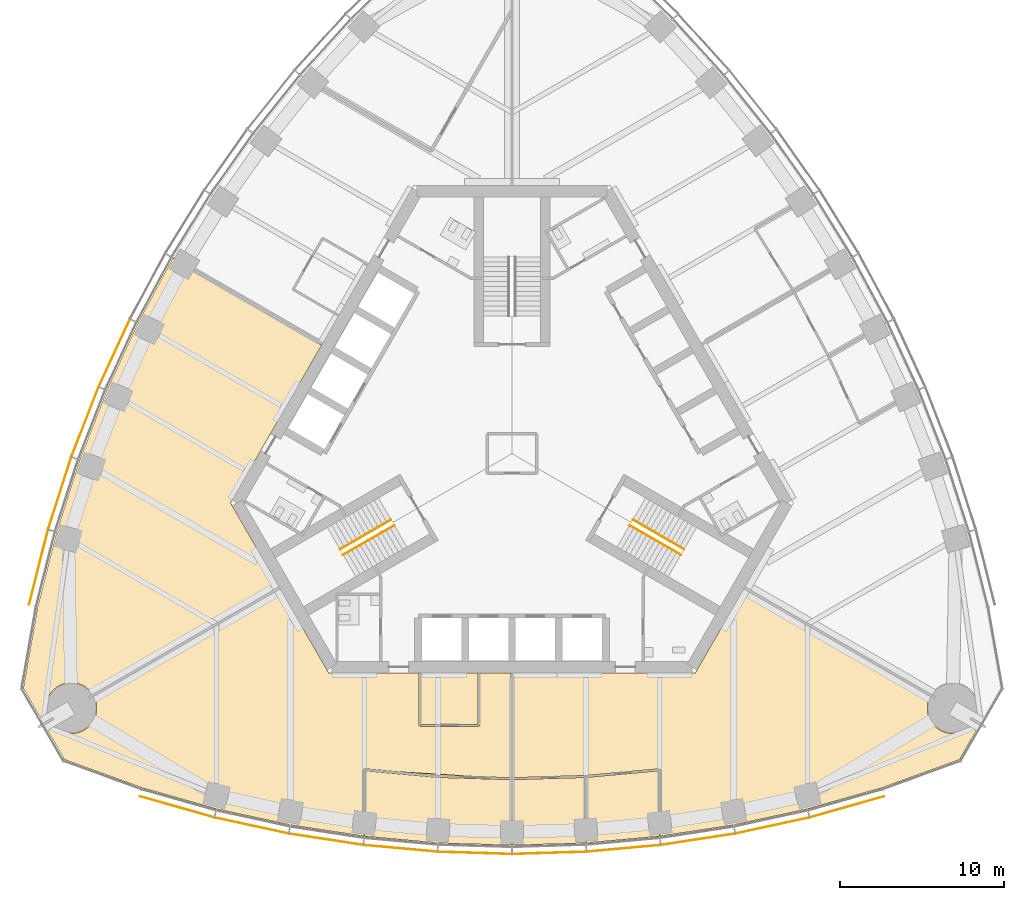
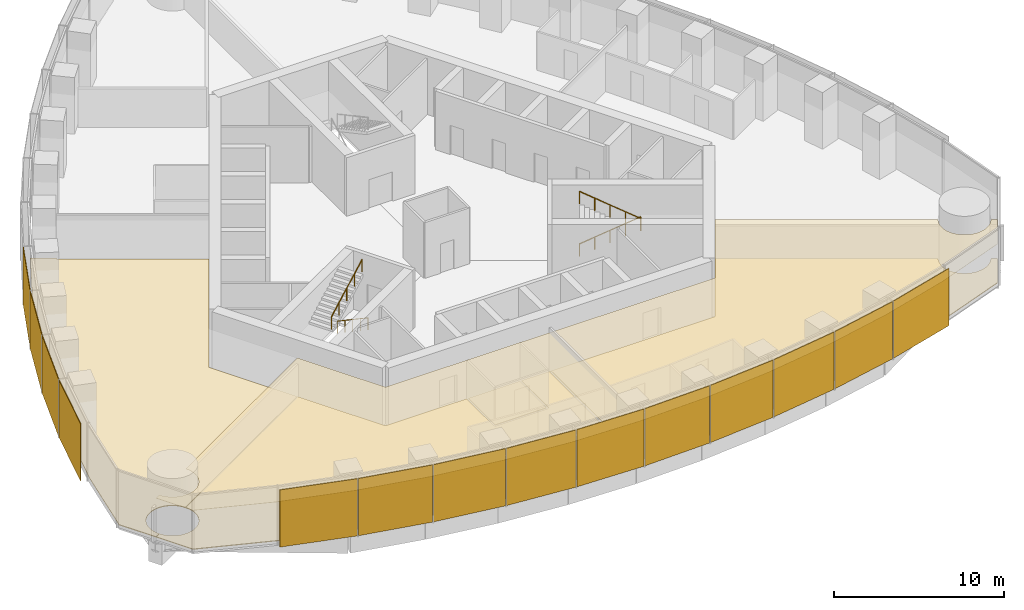
# One storey, part 11 of 15: 14 shading devices, 8 coverings, 4 railings.
"""IFC4 building model written with IfcOpenShell, lengths in metres."""

from ifc_helpers import new_model, si_unit, direction, frame, origin, origin_2d, place, context, subcontext, project, spatial, polyline, rectangle, circle, outline, extrude, material, layer, layer_set, type_object, element, save


model = new_model("IFC4")

# Units and contexts
model_context = context("Model", 3, precision=1e-05, world=origin(), true_north=direction((0.0, 1.0)))
body_context = subcontext(model_context, "Body", "Model", "MODEL_VIEW")
ifc_project = project(units=[si_unit("LENGTHUNIT", "METRE"), si_unit("AREAUNIT", "SQUARE_METRE"), si_unit("VOLUMEUNIT", "CUBIC_METRE"), si_unit("PLANEANGLEUNIT", "RADIAN"), si_unit("MASSUNIT", "GRAM", prefix="KILO")], contexts=[model_context])

# Site, building, storey
site_placement = place(None, origin())
site = spatial("IfcSite", under=ifc_project, at=site_placement, CompositionType="ELEMENT")
building_placement = place(site_placement, origin())
building = spatial("IfcBuilding", under=site, at=building_placement, Name="Trefoil Bronze Tower", CompositionType="ELEMENT")
storey_placement = place(building_placement, frame((0.0, 0.0, 288.89990234375)))
storey = spatial("IfcBuildingStorey", under=building, at=storey_placement, Name="L66", CompositionType="ELEMENT", Elevation=288.89990234375)

# Shading devices
ifc_material_1 = material(Name="Perforated bronze sheet", Category="bronze")
ifc_layer_1 = layer(ifc_material_1, 0.0400390625)
ifc_layer_set_1 = layer_set([ifc_layer_1], Name="Bronze solar screen panel")
shading_device_type = type_object("IfcShadingDeviceType", Name="Bronze solar screen panel", PredefinedType="SHUTTER", material=ifc_layer_set_1)
shading_device_1_placement = place(storey_placement, frame((-20.42138671875, -21.515625, 0.050048828125), z_axis=(0.0, 0.0, 1.0), x_axis=(0.962097746943, -0.272704831875, 0.0)))
element("IfcShadingDevice", 1, at=shading_device_1_placement, inside=storey, type_object=shading_device_type, Name="Solar screen CW-A L66 F1 bay 1", PredefinedType="SHUTTER", context=body_context, shape_type="SweptSolid", body=[
    extrude(rectangle(XDim=4.697509765625, YDim=0.0400390625, at=origin_2d()), origin(), (0.0, 0.0, 1.0), 4.10009765625),
])
shading_device_2_placement = place(storey_placement, frame((-15.864501953125, -22.65625, 0.050048828125), z_axis=(0.0, 0.0, 1.0), x_axis=(0.977303138829, -0.211845639168, 0.0)))
element("IfcShadingDevice", 2, at=shading_device_2_placement, inside=storey, type_object=shading_device_type, Name="Solar screen CW-A L66 F1 bay 2", PredefinedType="SHUTTER", context=body_context, shape_type="SweptSolid", body=[
    extrude(rectangle(XDim=4.574462890625, YDim=0.0400390625, at=origin_2d()), origin(), (0.0, 0.0, 1.0), 4.10009765625),
])
shading_device_3_placement = place(storey_placement, frame((-11.331787109375, -23.494384765625, 0.050048828125), z_axis=(0.0, 0.0, 1.0), x_axis=(0.988485337216, -0.151316681529, 0.0)))
element("IfcShadingDevice", 3, at=shading_device_3_placement, inside=storey, type_object=shading_device_type, Name="Solar screen CW-A L66 F1 bay 3", PredefinedType="SHUTTER", context=body_context, shape_type="SweptSolid", body=[
    extrude(rectangle(XDim=4.5224609375, YDim=0.0400390625, at=origin_2d()), origin(), (0.0, 0.0, 1.0), 4.10009765625),
])
shading_device_4_placement = place(storey_placement, frame((-6.799072265625, -24.048095703125, 0.050048828125), z_axis=(0.0, 0.0, 1.0), x_axis=(0.99587011625, -0.090789380212, 0.0)))
element("IfcShadingDevice", 4, at=shading_device_4_placement, inside=storey, type_object=shading_device_type, Name="Solar screen CW-A L66 F1 bay 4", PredefinedType="SHUTTER", context=body_context, shape_type="SweptSolid", body=[
    extrude(rectangle(XDim=4.48876953125, YDim=0.0400390625, at=origin_2d()), origin(), (0.0, 0.0, 1.0), 4.10009765625),
])
for number, where, z_axis, x_axis, name in (
    (5, (-2.266357421875, -24.3232421875, 0.050048828125), (0.0, 0.0, 1.0), (0.999541969785, -0.030263024264, 0.0), "Solar screen CW-A L66 F1 bay 5"),
    (6, (2.266357421875, -24.3232421875, 0.050048828125), (0.0, 0.0, 1.0), (0.999541969785, 0.030263024264, 0.0), "Solar screen CW-A L66 F1 bay 6"),
):
    element("IfcShadingDevice", number, at=place(storey_placement, frame(where, z_axis=z_axis, x_axis=x_axis)), inside=storey, type_object=shading_device_type, Name=name, PredefinedType="SHUTTER", context=body_context, shape_type="SweptSolid", body=[
        extrude(rectangle(XDim=4.47216796875, YDim=0.0400390625, at=origin_2d()), origin(), (0.0, 0.0, 1.0), 4.10009765625),
    ])
shading_device_5_placement = place(storey_placement, frame((6.799072265625, -24.048095703125, 0.050048828125), z_axis=(0.0, 0.0, 1.0), x_axis=(0.99587011625, 0.090789380212, 0.0)))
element("IfcShadingDevice", 7, at=shading_device_5_placement, inside=storey, type_object=shading_device_type, Name="Solar screen CW-A L66 F1 bay 7", PredefinedType="SHUTTER", context=body_context, shape_type="SweptSolid", body=[
    extrude(rectangle(XDim=4.48876953125, YDim=0.0400390625, at=origin_2d()), origin(), (0.0, 0.0, 1.0), 4.10009765625),
])
shading_device_6_placement = place(storey_placement, frame((11.331787109375, -23.494384765625, 0.050048828125), z_axis=(0.0, 0.0, 1.0), x_axis=(0.988485337216, 0.151316681529, 0.0)))
element("IfcShadingDevice", 8, at=shading_device_6_placement, inside=storey, type_object=shading_device_type, Name="Solar screen CW-A L66 F1 bay 8", PredefinedType="SHUTTER", context=body_context, shape_type="SweptSolid", body=[
    extrude(rectangle(XDim=4.5224609375, YDim=0.0400390625, at=origin_2d()), origin(), (0.0, 0.0, 1.0), 4.10009765625),
])
shading_device_7_placement = place(storey_placement, frame((15.864501953125, -22.65625, 0.050048828125), z_axis=(0.0, 0.0, 1.0), x_axis=(0.977303138829, 0.211845639168, 0.0)))
element("IfcShadingDevice", 9, at=shading_device_7_placement, inside=storey, type_object=shading_device_type, Name="Solar screen CW-A L66 F1 bay 9", PredefinedType="SHUTTER", context=body_context, shape_type="SweptSolid", body=[
    extrude(rectangle(XDim=4.574462890625, YDim=0.0400390625, at=origin_2d()), origin(), (0.0, 0.0, 1.0), 4.10009765625),
])
shading_device_8_placement = place(storey_placement, frame((20.42138671875, -21.515625, 0.050048828125), z_axis=(0.0, 0.0, 1.0), x_axis=(0.962097746943, 0.272704831875, 0.0)))
element("IfcShadingDevice", 10, at=shading_device_8_placement, inside=storey, type_object=shading_device_type, Name="Solar screen CW-A L66 F1 bay 10", PredefinedType="SHUTTER", context=body_context, shape_type="SweptSolid", body=[
    extrude(rectangle(XDim=4.697509765625, YDim=0.0400390625, at=origin_2d()), origin(), (0.0, 0.0, 1.0), 4.10009765625),
])
shading_device_9_placement = place(storey_placement, frame((-24.2255859375, 6.135986328125, 0.050048828125), z_axis=(0.0, 0.0, 1.0), x_axis=(-0.419309148468, -0.907843509649, 0.0)))
element("IfcShadingDevice", 11, at=shading_device_9_placement, inside=storey, type_object=shading_device_type, Name="Solar screen CW-A L66 F3 bay 7", PredefinedType="SHUTTER", context=body_context, shape_type="SweptSolid", body=[
    extrude(rectangle(XDim=4.48876953125, YDim=0.0400390625, at=origin_2d()), origin(), (0.0, 0.0, 1.0), 4.10009765625),
])
shading_device_10_placement = place(storey_placement, frame((-26.0126953125, 1.93359375, 0.050048828125), z_axis=(0.0, 0.0, 1.0), x_axis=(-0.363198578387, -0.931711754062, 0.0)))
element("IfcShadingDevice", 12, at=shading_device_10_placement, inside=storey, type_object=shading_device_type, Name="Solar screen CW-A L66 F3 bay 8", PredefinedType="SHUTTER", context=body_context, shape_type="SweptSolid", body=[
    extrude(rectangle(XDim=4.5224609375, YDim=0.0400390625, at=origin_2d()), origin(), (0.0, 0.0, 1.0), 4.10009765625),
])
shading_device_11_placement = place(storey_placement, frame((-27.55322265625, -2.410888671875, 0.050048828125), z_axis=(0.0, 0.0, 1.0), x_axis=(-0.305187864214, -0.952292165009, 0.0)))
element("IfcShadingDevice", 13, at=shading_device_11_placement, inside=storey, type_object=shading_device_type, Name="Solar screen CW-A L66 F3 bay 9", PredefinedType="SHUTTER", context=body_context, shape_type="SweptSolid", body=[
    extrude(rectangle(XDim=4.574462890625, YDim=0.0400390625, at=origin_2d()), origin(), (0.0, 0.0, 1.0), 4.10009765625),
])
shading_device_12_placement = place(storey_placement, frame((-28.843994140625, -6.927490234375, 0.050048828125), z_axis=(0.0, 0.0, 1.0), x_axis=(-0.244879561333, -0.969553505713, 0.0)))
element("IfcShadingDevice", 14, at=shading_device_12_placement, inside=storey, type_object=shading_device_type, Name="Solar screen CW-A L66 F3 bay 10", PredefinedType="SHUTTER", context=body_context, shape_type="SweptSolid", body=[
    extrude(rectangle(XDim=4.697509765625, YDim=0.0400390625, at=origin_2d()), origin(), (0.0, 0.0, 1.0), 4.10009765625),
])

# Railings
ifc_material_2 = material(Name="Steel handrail", Category="steel")
railing_type = type_object("IfcRailingType", Name="Handrail 900", PredefinedType="HANDRAIL", material=ifc_material_2)
railing_1_placement = place(storey_placement, frame((7.365966796875, -4.021728515625, 0.16162109375)))
element("IfcRailing", 15, at=railing_1_placement, inside=storey, type_object=railing_type, Name="Handrail ST1 flight 1 L66", PredefinedType="HANDRAIL", context=body_context, shape_type="SweptSolid", body=[
    extrude(circle(Radius=0.02392578125, at=origin_2d()), frame((0.0, 0.0, 0.8759765625), z_axis=(0.76250339821, -0.440245697338, 0.474101564745), x_axis=(0.500012057535, 0.866018442252, 0.0)), (0.0, 0.0, 1.0), 4.088623046875),
    extrude(circle(Radius=0.02099609375, at=origin_2d()), origin(), (0.0, 0.0, 1.0), 0.851806640625),
    extrude(circle(Radius=0.02099609375, at=origin_2d()), frame((0.779296875, -0.449951171875, 0.484619140625)), (0.0, 0.0, 1.0), 0.851806640625),
    extrude(circle(Radius=0.02099609375, at=origin_2d()), frame((1.558837890625, -0.89990234375, 0.96923828125)), (0.0, 0.0, 1.0), 0.851806640625),
    extrude(circle(Radius=0.02099609375, at=origin_2d()), frame((2.33837890625, -1.35009765625, 1.453857421875)), (0.0, 0.0, 1.0), 0.851806640625),
    extrude(circle(Radius=0.02099609375, at=origin_2d()), frame((3.11767578125, -1.800048828125, 1.9384765625)), (0.0, 0.0, 1.0), 0.851806640625),
])
railing_2_placement = place(storey_placement, frame((10.28369140625, -6.168212890625, 2.26171875)))
element("IfcRailing", 16, at=railing_2_placement, inside=storey, type_object=railing_type, Name="Handrail ST1 flight 2 L66", PredefinedType="HANDRAIL", context=body_context, shape_type="SweptSolid", body=[
    extrude(circle(Radius=0.02392578125, at=origin_2d()), frame((0.0, 0.0, 0.8759765625), z_axis=(-0.76250339821, 0.440245697338, 0.474101564745), x_axis=(-0.500012057535, -0.866018442252, 0.0)), (0.0, 0.0, 1.0), 4.088623046875),
    extrude(circle(Radius=0.02099609375, at=origin_2d()), origin(), (0.0, 0.0, 1.0), 0.851806640625),
    extrude(circle(Radius=0.02099609375, at=origin_2d()), frame((-0.779296875, 0.449951171875, 0.484619140625)), (0.0, 0.0, 1.0), 0.851806640625),
    extrude(circle(Radius=0.02099609375, at=origin_2d()), frame((-1.558837890625, 0.89990234375, 0.96923828125)), (0.0, 0.0, 1.0), 0.851806640625),
    extrude(circle(Radius=0.02099609375, at=origin_2d()), frame((-2.33837890625, 1.35009765625, 1.453857421875)), (0.0, 0.0, 1.0), 0.851806640625),
    extrude(circle(Radius=0.02099609375, at=origin_2d()), frame((-3.11767578125, 1.800048828125, 1.9384765625)), (0.0, 0.0, 1.0), 0.851806640625),
])
railing_3_placement = place(storey_placement, frame((-7.166015625, -4.3681640625, 0.16162109375)))
element("IfcRailing", 17, at=railing_3_placement, inside=storey, type_object=railing_type, Name="Handrail ST3 flight 1 L66", PredefinedType="HANDRAIL", context=body_context, shape_type="SweptSolid", body=[
    extrude(circle(Radius=0.02392578125, at=origin_2d()), frame((0.0, 0.0, 0.8759765625), z_axis=(-0.76250339821, -0.440245697338, 0.474101564745), x_axis=(0.500012057535, -0.866018442252, 0.0)), (0.0, 0.0, 1.0), 4.088623046875),
    extrude(circle(Radius=0.02099609375, at=origin_2d()), origin(), (0.0, 0.0, 1.0), 0.851806640625),
    extrude(circle(Radius=0.02099609375, at=origin_2d()), frame((-0.779296875, -0.449951171875, 0.484619140625)), (0.0, 0.0, 1.0), 0.851806640625),
    extrude(circle(Radius=0.02099609375, at=origin_2d()), frame((-1.558837890625, -0.89990234375, 0.96923828125)), (0.0, 0.0, 1.0), 0.851806640625),
    extrude(circle(Radius=0.02099609375, at=origin_2d()), frame((-2.33837890625, -1.35009765625, 1.453857421875)), (0.0, 0.0, 1.0), 0.851806640625),
    extrude(circle(Radius=0.02099609375, at=origin_2d()), frame((-3.11767578125, -1.800048828125, 1.9384765625)), (0.0, 0.0, 1.0), 0.851806640625),
])
railing_4_placement = place(storey_placement, frame((-10.483642578125, -5.82177734375, 2.26171875)))
element("IfcRailing", 18, at=railing_4_placement, inside=storey, type_object=railing_type, Name="Handrail ST3 flight 2 L66", PredefinedType="HANDRAIL", context=body_context, shape_type="SweptSolid", body=[
    extrude(circle(Radius=0.02392578125, at=origin_2d()), frame((0.0, 0.0, 0.8759765625), z_axis=(0.76250339821, 0.440245697338, 0.474101564745), x_axis=(-0.500012057535, 0.866018442252, 0.0)), (0.0, 0.0, 1.0), 4.088623046875),
    extrude(circle(Radius=0.02099609375, at=origin_2d()), origin(), (0.0, 0.0, 1.0), 0.851806640625),
    extrude(circle(Radius=0.02099609375, at=origin_2d()), frame((0.779296875, 0.449951171875, 0.484619140625)), (0.0, 0.0, 1.0), 0.851806640625),
    extrude(circle(Radius=0.02099609375, at=origin_2d()), frame((1.558837890625, 0.89990234375, 0.96923828125)), (0.0, 0.0, 1.0), 0.851806640625),
    extrude(circle(Radius=0.02099609375, at=origin_2d()), frame((2.33837890625, 1.35009765625, 1.453857421875)), (0.0, 0.0, 1.0), 0.851806640625),
    extrude(circle(Radius=0.02099609375, at=origin_2d()), frame((3.11767578125, 1.800048828125, 1.9384765625)), (0.0, 0.0, 1.0), 0.851806640625),
])

# Coverings
ifc_material_3 = material(Name="Acoustic ceiling panels", Category="mineral fibre")
ifc_layer_2 = layer(ifc_material_3, 0.02001953125)
ifc_layer_set_2 = layer_set([ifc_layer_2], Name="Office ceiling 20")
covering_type_1 = type_object("IfcCoveringType", Name="Office ceiling 20", PredefinedType="CEILING", material=ifc_layer_set_2)
covering_1_placement = place(storey_placement, frame((0.0, 0.0, 2.900146484375)))
element("IfcCovering", 19, at=covering_1_placement, inside=storey, type_object=covering_type_1, Name="Ceiling L66 Open-plan office F1", PredefinedType="CEILING", context=body_context, shape_type="SweptSolid", body=[
    extrude(outline(polyline([(-28.135498046875, -16.361083984375), (-28.091796875, -16.42333984375), (-28.044921875, -16.4833984375), (-27.995361328125, -16.541015625), (-27.94287109375, -16.595947265625), (-27.8876953125, -16.6484375), (-27.830078125, -16.6982421875), (-27.77001953125, -16.7451171875), (-27.7080078125, -16.788818359375), (-27.6435546875, -16.82958984375), (-27.577392578125, -16.866943359375), (-27.509521484375, -16.901123046875), (-27.43994140625, -16.931884765625), (-27.368896484375, -16.95947265625), (-27.296630859375, -16.9833984375), (-27.223388671875, -17.00341796875), (-27.149169921875, -17.020263671875), (-27.07421875, -17.033203125), (-26.998779296875, -17.04248046875), (-26.9228515625, -17.048095703125), (-26.8466796875, -17.050048828125), (-26.770751953125, -17.048095703125), (-26.69482421875, -17.04248046875), (-26.619384765625, -17.033203125), (-26.54443359375, -17.020263671875), (-26.47021484375, -17.00341796875), (-26.396728515625, -16.9833984375), (-26.32470703125, -16.95947265625), (-26.253662109375, -16.931884765625), (-26.18408203125, -16.901123046875), (-26.1162109375, -16.866943359375), (-26.0498046875, -16.82958984375), (-25.985595703125, -16.788818359375), (-25.923583984375, -16.7451171875), (-25.863525390625, -16.6982421875), (-25.805908203125, -16.6484375), (-25.750732421875, -16.595947265625), (-25.6982421875, -16.541015625), (-25.648681640625, -16.4833984375), (-25.601806640625, -16.42333984375), (-25.55810546875, -16.361083984375), (-25.517333984375, -16.296875), (-25.479736328125, -16.230712890625), (-25.445556640625, -16.16259765625), (-25.414794921875, -16.09326171875), (-25.387451171875, -16.022216796875), (-25.363525390625, -15.949951171875), (-25.34326171875, -15.876708984375), (-25.32666015625, -15.802490234375), (-25.313720703125, -15.727294921875), (-25.30419921875, -15.65185546875), (-25.298583984375, -15.576171875), (-25.296875, -15.5), (-25.298583984375, -15.423828125), (-25.30419921875, -15.34814453125), (-25.313720703125, -15.272705078125), (-25.32666015625, -15.197509765625), (-25.34326171875, -15.123291015625), (-25.363525390625, -15.050048828125), (-25.387451171875, -14.977783203125), (-25.414794921875, -14.90673828125), (-25.445556640625, -14.83740234375), (-25.479736328125, -14.769287109375), (-25.49951171875, -14.73486328125), (-14.156494140625, -8.180419921875), (-11.171630859375, -13.35009765625), (11.171630859375, -13.35009765625), (14.156494140625, -8.180419921875), (25.49951171875, -14.73486328125), (25.479736328125, -14.769287109375), (25.445556640625, -14.83740234375), (25.414794921875, -14.90673828125), (25.387451171875, -14.977783203125), (25.363525390625, -15.050048828125), (25.34326171875, -15.123291015625), (25.32666015625, -15.197509765625), (25.313720703125, -15.272705078125), (25.30419921875, -15.34814453125), (25.298583984375, -15.423828125), (25.296875, -15.5), (25.298583984375, -15.576171875), (25.30419921875, -15.65185546875), (25.313720703125, -15.727294921875), (25.32666015625, -15.802490234375), (25.34326171875, -15.876708984375), (25.363525390625, -15.949951171875), (25.387451171875, -16.022216796875), (25.414794921875, -16.09326171875), (25.445556640625, -16.16259765625), (25.479736328125, -16.230712890625), (25.517333984375, -16.296875), (25.55810546875, -16.361083984375), (25.601806640625, -16.42333984375), (25.648681640625, -16.4833984375), (25.6982421875, -16.541015625), (25.750732421875, -16.595947265625), (25.805908203125, -16.6484375), (25.863525390625, -16.6982421875), (25.923583984375, -16.7451171875), (25.985595703125, -16.788818359375), (26.0498046875, -16.82958984375), (26.1162109375, -16.866943359375), (26.18408203125, -16.901123046875), (26.253662109375, -16.931884765625), (26.32470703125, -16.95947265625), (26.396728515625, -16.9833984375), (26.47021484375, -17.00341796875), (26.54443359375, -17.020263671875), (26.619384765625, -17.033203125), (26.69482421875, -17.04248046875), (26.770751953125, -17.048095703125), (26.8466796875, -17.050048828125), (26.9228515625, -17.048095703125), (26.998779296875, -17.04248046875), (27.07421875, -17.033203125), (27.149169921875, -17.020263671875), (27.223388671875, -17.00341796875), (27.296630859375, -16.9833984375), (27.368896484375, -16.95947265625), (27.43994140625, -16.931884765625), (27.509521484375, -16.901123046875), (27.577392578125, -16.866943359375), (27.6435546875, -16.82958984375), (27.7080078125, -16.788818359375), (27.77001953125, -16.7451171875), (27.830078125, -16.6982421875), (27.8876953125, -16.6484375), (27.94287109375, -16.595947265625), (27.995361328125, -16.541015625), (28.044921875, -16.4833984375), (28.091796875, -16.42333984375), (28.135498046875, -16.361083984375), (28.182861328125, -16.285400390625), (28.510009765625, -16.474609375), (27.26220703125, -18.635986328125), (22.54833984375, -20.3515625), (18.0, -21.640869140625), (13.5, -22.6162109375), (9.0, -23.30517578125), (4.5, -23.71533203125), (0.0, -23.8515625), (-4.5, -23.71533203125), (-9.0, -23.30517578125), (-13.5, -22.6162109375), (-18.0, -21.640869140625), (-22.54833984375, -20.3515625), (-27.26220703125, -18.635986328125), (-28.510009765625, -16.474609375), (-28.182861328125, -16.285400390625), (-28.135498046875, -16.361083984375)])), origin(), (0.0, 0.0, 1.0), 0.02001953125),
])
ifc_material_4 = material(Name="Raised access floor panels", Category="steel")
ifc_layer_3 = layer(ifc_material_4, 0.050048828125)
ifc_layer_set_3 = layer_set([ifc_layer_3], Name="Raised access floor 150")
covering_type_2 = type_object("IfcCoveringType", Name="Raised access floor 150", PredefinedType="FLOORING", material=ifc_layer_set_3)
covering_2_placement = place(storey_placement, frame((0.0, 0.0, 0.10009765625)))
element("IfcCovering", 20, at=covering_2_placement, inside=storey, type_object=covering_type_2, Name="Raised floor L66 Meeting room F1", PredefinedType="FLOORING", context=body_context, shape_type="SweptSolid", body=[
    extrude(outline(polyline([(-2.06005859375, -13.35009765625), (-2.06005859375, -16.489990234375), (-5.5400390625, -16.489990234375), (-5.5400390625, -13.35009765625), (-2.06005859375, -13.35009765625)])), origin(), (0.0, 0.0, 1.0), 0.050048828125),
])
covering_3_placement = place(storey_placement, frame((0.0, 0.0, 0.10009765625)))
element("IfcCovering", 21, at=covering_3_placement, inside=storey, type_object=covering_type_2, Name="Raised floor L66 Kitchen and breakout F1", PredefinedType="FLOORING", context=body_context, shape_type="SweptSolid", body=[
    extrude(outline(polyline([(-4.5, -23.71533203125), (-9.0, -23.30517578125), (-9.0, -21.763916015625), (-8.93994140625, -21.763916015625), (-8.93994140625, -19.32080078125), (-4.50537109375, -19.72509765625), (-4.5, -19.665283203125), (-4.501708984375, -19.725341796875), (-0.074951171875, -19.859375), (-0.074951171875, -22.321533203125), (0.0, -22.321533203125), (0.0, -23.8515625), (-4.5, -23.71533203125)])), origin(), (0.0, 0.0, 1.0), 0.050048828125),
])
covering_4_placement = place(storey_placement, frame((0.0, 0.0, 0.10009765625)))
element("IfcCovering", 22, at=covering_4_placement, inside=storey, type_object=covering_type_2, Name="Raised floor L66 Office F1", PredefinedType="FLOORING", context=body_context, shape_type="SweptSolid", body=[
    extrude(outline(polyline([(4.5, -23.71533203125), (0.0, -23.8515625), (0.0, -22.321533203125), (0.074951171875, -22.321533203125), (0.074951171875, -19.859375), (4.43994140625, -19.727294921875), (4.43994140625, -22.1826171875), (4.5, -22.1826171875), (4.5, -23.71533203125)])), origin(), (0.0, 0.0, 1.0), 0.050048828125),
])
covering_5_placement = place(storey_placement, frame((0.0, 0.0, 0.10009765625)))
element("IfcCovering", 23, at=covering_5_placement, inside=storey, type_object=covering_type_2, Name="Raised floor L66 Office F1", PredefinedType="FLOORING", context=body_context, shape_type="SweptSolid", body=[
    extrude(outline(polyline([(9.0, -23.30517578125), (4.5, -23.71533203125), (4.5, -22.1826171875), (4.56005859375, -22.1826171875), (4.56005859375, -19.72021484375), (8.93994140625, -19.32080078125), (8.93994140625, -21.763916015625), (9.0, -21.763916015625), (9.0, -23.30517578125)])), origin(), (0.0, 0.0, 1.0), 0.050048828125),
])
covering_6_placement = place(storey_placement, frame((0.0, 0.0, 0.10009765625)))
element("IfcCovering", 24, at=covering_6_placement, inside=storey, type_object=covering_type_2, Name="Raised floor L66 Open-plan office F1", PredefinedType="FLOORING", context=body_context, shape_type="SweptSolid", body=[
    extrude(outline(polyline([(9.0, -21.763916015625), (9.06005859375, -21.763916015625), (9.06005859375, -19.255126953125), (9.0, -19.255126953125), (8.99462890625, -19.1953125), (4.496337890625, -19.60546875), (0.074951171875, -19.7392578125), (0.074951171875, -13.360107421875), (0.0009765625, -13.360107421875), (0.0009765625, -13.35009765625), (11.171630859375, -13.35009765625), (14.156494140625, -8.180419921875), (25.49951171875, -14.73486328125), (25.479736328125, -14.769287109375), (25.445556640625, -14.83740234375), (25.414794921875, -14.90673828125), (25.387451171875, -14.977783203125), (25.363525390625, -15.050048828125), (25.34326171875, -15.123291015625), (25.32666015625, -15.197509765625), (25.313720703125, -15.272705078125), (25.30419921875, -15.34814453125), (25.298583984375, -15.423828125), (25.296875, -15.5), (25.298583984375, -15.576171875), (25.30419921875, -15.65185546875), (25.313720703125, -15.727294921875), (25.32666015625, -15.802490234375), (25.34326171875, -15.876708984375), (25.363525390625, -15.949951171875), (25.387451171875, -16.022216796875), (25.414794921875, -16.09326171875), (25.445556640625, -16.16259765625), (25.479736328125, -16.230712890625), (25.517333984375, -16.296875), (25.55810546875, -16.361083984375), (25.601806640625, -16.42333984375), (25.648681640625, -16.4833984375), (25.6982421875, -16.541015625), (25.750732421875, -16.595947265625), (25.805908203125, -16.6484375), (25.863525390625, -16.6982421875), (25.923583984375, -16.7451171875), (25.985595703125, -16.788818359375), (26.0498046875, -16.82958984375), (26.1162109375, -16.866943359375), (26.18408203125, -16.901123046875), (26.253662109375, -16.931884765625), (26.32470703125, -16.95947265625), (26.396728515625, -16.9833984375), (26.47021484375, -17.00341796875), (26.54443359375, -17.020263671875), (26.619384765625, -17.033203125), (26.69482421875, -17.04248046875), (26.770751953125, -17.048095703125), (26.8466796875, -17.050048828125), (26.9228515625, -17.048095703125), (26.998779296875, -17.04248046875), (27.07421875, -17.033203125), (27.149169921875, -17.020263671875), (27.223388671875, -17.00341796875), (27.296630859375, -16.9833984375), (27.368896484375, -16.95947265625), (27.43994140625, -16.931884765625), (27.509521484375, -16.901123046875), (27.577392578125, -16.866943359375), (27.6435546875, -16.82958984375), (27.7080078125, -16.788818359375), (27.77001953125, -16.7451171875), (27.830078125, -16.6982421875), (27.8876953125, -16.6484375), (27.94287109375, -16.595947265625), (27.995361328125, -16.541015625), (28.044921875, -16.4833984375), (28.091796875, -16.42333984375), (28.135498046875, -16.361083984375), (28.182861328125, -16.285400390625), (28.510009765625, -16.474609375), (27.26220703125, -18.635986328125), (22.54833984375, -20.3515625), (18.0, -21.640869140625), (13.5, -22.6162109375), (9.0, -23.30517578125), (9.0, -21.763916015625)])), origin(), (0.0, 0.0, 1.0), 0.050048828125),
])
covering_7_placement = place(storey_placement, frame((0.0, 0.0, 0.10009765625)))
element("IfcCovering", 25, at=covering_7_placement, inside=storey, type_object=covering_type_2, Name="Raised floor L66 Open-plan office F1", PredefinedType="FLOORING", context=body_context, shape_type="SweptSolid", body=[
    extrude(outline(polyline([(-25.49951171875, -14.73486328125), (-14.156494140625, -8.180419921875), (-11.171630859375, -13.35009765625), (-5.659912109375, -13.35009765625), (-5.659912109375, -16.550048828125), (-5.60009765625, -16.550048828125), (-5.60009765625, -16.610107421875), (-2.0, -16.610107421875), (-2.0, -16.550048828125), (-1.93994140625, -16.550048828125), (-1.93994140625, -13.35009765625), (-0.0009765625, -13.35009765625), (-0.0009765625, -13.360107421875), (-0.074951171875, -13.360107421875), (-0.074951171875, -19.7392578125), (-1.9716796875, -19.681884765625), (-7.02099609375, -19.375244140625), (-8.99462890625, -19.1953125), (-9.0, -19.255126953125), (-9.06005859375, -19.255126953125), (-9.06005859375, -21.763916015625), (-9.0, -21.763916015625), (-9.0, -23.30517578125), (-13.5, -22.6162109375), (-18.0, -21.640869140625), (-22.54833984375, -20.3515625), (-27.26220703125, -18.635986328125), (-28.510009765625, -16.474609375), (-28.182861328125, -16.285400390625), (-28.135498046875, -16.361083984375), (-28.091796875, -16.42333984375), (-28.044921875, -16.4833984375), (-27.995361328125, -16.541015625), (-27.94287109375, -16.595947265625), (-27.8876953125, -16.6484375), (-27.830078125, -16.6982421875), (-27.77001953125, -16.7451171875), (-27.7080078125, -16.788818359375), (-27.6435546875, -16.82958984375), (-27.577392578125, -16.866943359375), (-27.509521484375, -16.901123046875), (-27.43994140625, -16.931884765625), (-27.368896484375, -16.95947265625), (-27.296630859375, -16.9833984375), (-27.223388671875, -17.00341796875), (-27.149169921875, -17.020263671875), (-27.07421875, -17.033203125), (-26.998779296875, -17.04248046875), (-26.9228515625, -17.048095703125), (-26.8466796875, -17.050048828125), (-26.770751953125, -17.048095703125), (-26.69482421875, -17.04248046875), (-26.619384765625, -17.033203125), (-26.54443359375, -17.020263671875), (-26.47021484375, -17.00341796875), (-26.396728515625, -16.9833984375), (-26.32470703125, -16.95947265625), (-26.253662109375, -16.931884765625), (-26.18408203125, -16.901123046875), (-26.1162109375, -16.866943359375), (-26.0498046875, -16.82958984375), (-25.985595703125, -16.788818359375), (-25.923583984375, -16.7451171875), (-25.863525390625, -16.6982421875), (-25.805908203125, -16.6484375), (-25.750732421875, -16.595947265625), (-25.6982421875, -16.541015625), (-25.648681640625, -16.4833984375), (-25.601806640625, -16.42333984375), (-25.55810546875, -16.361083984375), (-25.517333984375, -16.296875), (-25.479736328125, -16.230712890625), (-25.445556640625, -16.16259765625), (-25.414794921875, -16.09326171875), (-25.387451171875, -16.022216796875), (-25.363525390625, -15.949951171875), (-25.34326171875, -15.876708984375), (-25.32666015625, -15.802490234375), (-25.313720703125, -15.727294921875), (-25.30419921875, -15.65185546875), (-25.298583984375, -15.576171875), (-25.296875, -15.5), (-25.298583984375, -15.423828125), (-25.30419921875, -15.34814453125), (-25.313720703125, -15.272705078125), (-25.32666015625, -15.197509765625), (-25.34326171875, -15.123291015625), (-25.363525390625, -15.050048828125), (-25.387451171875, -14.977783203125), (-25.414794921875, -14.90673828125), (-25.445556640625, -14.83740234375), (-25.479736328125, -14.769287109375), (-25.49951171875, -14.73486328125)])), origin(), (0.0, 0.0, 1.0), 0.050048828125),
])
covering_8_placement = place(storey_placement, frame((0.0, 0.0, 0.10009765625)))
element("IfcCovering", 26, at=covering_8_placement, inside=storey, type_object=covering_type_2, Name="Raised floor L66 Open-plan office F3", PredefinedType="FLOORING", context=body_context, shape_type="SweptSolid", body=[
    extrude(outline(polyline([(-26.336181640625, -0.38330078125), (-24.682861328125, 3.8583984375), (-22.7880859375, 7.960693359375), (-20.656494140625, 11.9248046875), (-19.33154296875, 11.159912109375), (-19.36865234375, 11.095703125), (-11.607666015625, 6.614990234375), (-11.570556640625, 6.67919921875), (-11.56201171875, 6.674072265625), (-17.147216796875, -3.0), (-14.16259765625, -8.169677734375), (-25.51025390625, -14.715576171875), (-25.55810546875, -14.638916015625), (-25.601806640625, -14.57666015625), (-25.648681640625, -14.5166015625), (-25.6982421875, -14.458984375), (-25.750732421875, -14.404052734375), (-25.805908203125, -14.3515625), (-25.863525390625, -14.3017578125), (-25.923583984375, -14.2548828125), (-25.985595703125, -14.211181640625), (-26.0498046875, -14.17041015625), (-26.1162109375, -14.133056640625), (-26.18408203125, -14.098876953125), (-26.253662109375, -14.068115234375), (-26.32470703125, -14.04052734375), (-26.396728515625, -14.0166015625), (-26.47021484375, -13.99658203125), (-26.54443359375, -13.979736328125), (-26.619384765625, -13.966796875), (-26.69482421875, -13.95751953125), (-26.770751953125, -13.951904296875), (-26.8466796875, -13.949951171875), (-26.9228515625, -13.951904296875), (-26.998779296875, -13.95751953125), (-27.07421875, -13.966796875), (-27.149169921875, -13.979736328125), (-27.223388671875, -13.99658203125), (-27.296630859375, -14.0166015625), (-27.368896484375, -14.04052734375), (-27.43994140625, -14.068115234375), (-27.509521484375, -14.098876953125), (-27.577392578125, -14.133056640625), (-27.6435546875, -14.17041015625), (-27.7080078125, -14.211181640625), (-27.77001953125, -14.2548828125), (-27.830078125, -14.3017578125), (-27.8876953125, -14.3515625), (-27.94287109375, -14.404052734375), (-27.995361328125, -14.458984375), (-28.044921875, -14.5166015625), (-28.091796875, -14.57666015625), (-28.135498046875, -14.638916015625), (-28.17626953125, -14.703125), (-28.2138671875, -14.769287109375), (-28.248046875, -14.83740234375), (-28.27880859375, -14.90673828125), (-28.30615234375, -14.977783203125), (-28.330078125, -15.050048828125), (-28.350341796875, -15.123291015625), (-28.366943359375, -15.197509765625), (-28.3798828125, -15.272705078125), (-28.389404296875, -15.34814453125), (-28.39501953125, -15.423828125), (-28.396728515625, -15.5), (-28.39501953125, -15.576171875), (-28.389404296875, -15.65185546875), (-28.3798828125, -15.727294921875), (-28.366943359375, -15.802490234375), (-28.350341796875, -15.876708984375), (-28.330078125, -15.949951171875), (-28.30615234375, -16.022216796875), (-28.27880859375, -16.09326171875), (-28.248046875, -16.16259765625), (-28.2138671875, -16.230712890625), (-28.19482421875, -16.26416015625), (-28.522216796875, -16.453125), (-29.770263671875, -14.291748046875), (-28.899169921875, -9.3515625), (-27.741455078125, -4.76806640625), (-26.336181640625, -0.38330078125)])), origin(), (0.0, 0.0, 1.0), 0.050048828125),
])

save(model, "model.ifc")
